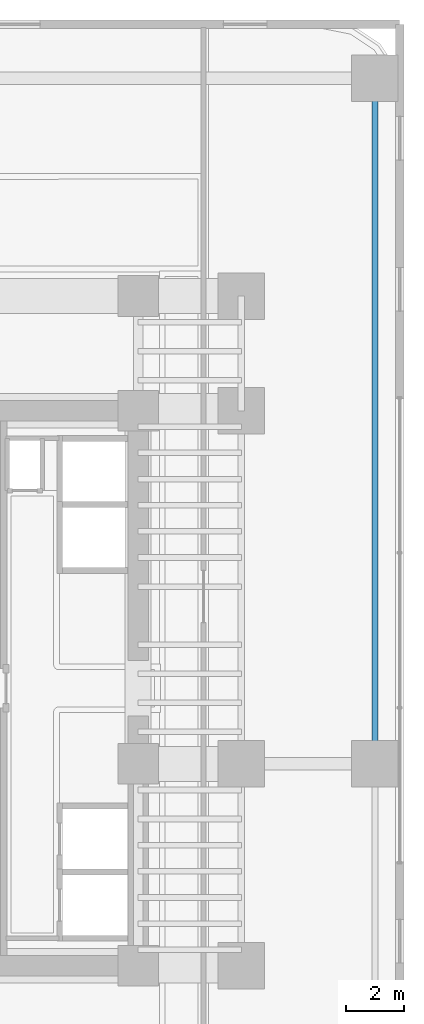
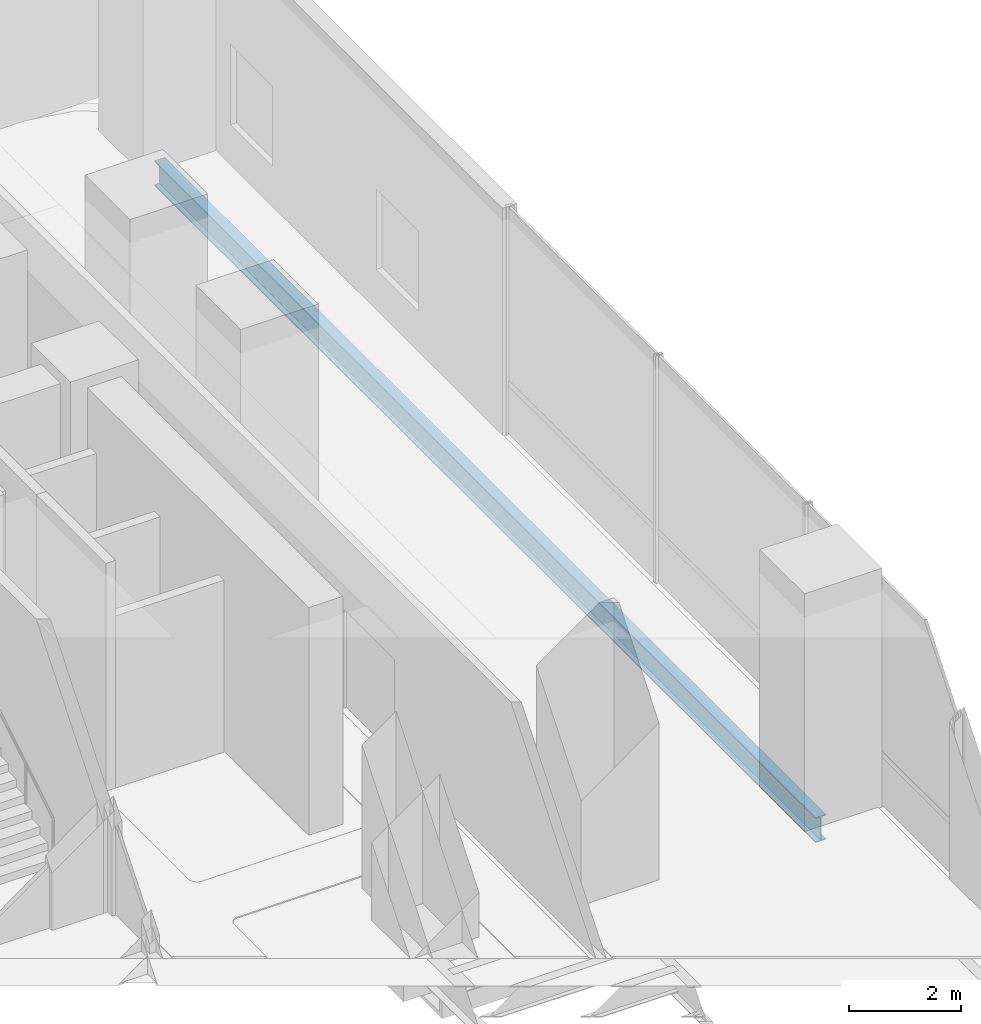
# One storey, part 23 of 41: 1 beam.
"""IFC4 building model written with IfcOpenShell, lengths in metres."""

from ifc_helpers import new_model, si_unit, direction, frame, origin, origin_2d, place, context, subcontext, project, spatial, i_section, extrude, source, transform, mapped, material, material_profile, profile_set, type_object, element, save


model = new_model("IFC4")

# Units and contexts
model_context = context("Model", 3, precision=1e-05, world=origin(), true_north=direction((0.0, 1.0)))
body_context = subcontext(model_context, "Body", "Model", "MODEL_VIEW")
ifc_project = project(units=[si_unit("LENGTHUNIT", "METRE"), si_unit("AREAUNIT", "SQUARE_METRE"), si_unit("VOLUMEUNIT", "CUBIC_METRE"), si_unit("PLANEANGLEUNIT", "RADIAN"), si_unit("MASSUNIT", "GRAM", prefix="KILO")], contexts=[model_context])

# Site, building, storey
site_placement = place(None, origin())
site = spatial("IfcSite", under=ifc_project, at=site_placement, CompositionType="ELEMENT")
building_placement = place(site_placement, origin())
building = spatial("IfcBuilding", under=site, at=building_placement, Name="Valdorenza Pilgrim Sanctuary Tower", CompositionType="ELEMENT")
storey_placement = place(building_placement, frame((0.0, 0.0, 20.800048828125)))
storey = spatial("IfcBuildingStorey", under=building, at=storey_placement, Name="L04", CompositionType="ELEMENT", Elevation=20.800048828125)

# Beam
ifc_material = material(Name="Steel ASTM A992 Grade 50", Category="steel")
ifc_material_profile = material_profile(ifc_material, i_section(OverallWidth=0.214111328125, OverallDepth=0.549072265625, WebThickness=0.0146484375, FlangeThickness=0.023681640625, at=origin_2d()), Name="W21X93")
ifc_profile_set = profile_set([ifc_material_profile], Name="Steel ASTM A992 Grade 50")
beam_type = type_object("IfcBeamType", Name="STR-BM-SPN-W21A", PredefinedType="SPANDREL", material=ifc_profile_set)
shared_shape = source(origin(), body_context, "Body", "SweptSolid", [
    extrude(i_section(OverallWidth=0.214111328125, OverallDepth=0.549072265625, WebThickness=0.0146484375, FlangeThickness=0.023681640625, at=origin_2d()), origin(), (0.0, 0.0, 1.0), 23.60009765625),
])
beam_placement = place(storey_placement, frame((33.0, -2.60009765625, -0.674560546875), z_axis=(0.0, 1.0, 0.0), x_axis=(-1.0, 0.0, 0.0)))
element("IfcBeam", 1, at=beam_placement, inside=storey, type_object=beam_type, Name="L04 Floor Girder POD-SPN-EN", PredefinedType="SPANDREL", context=body_context, shape_type="MappedRepresentation", body=[
    mapped(shared_shape, transform((0.0, 0.0, 0.0), x_axis=(1.0, 0.0, 0.0), y_axis=(0.0, 1.0, 0.0), z_axis=(0.0, 0.0, 1.0), scale=1.0)),
])

save(model, "model.ifc")
